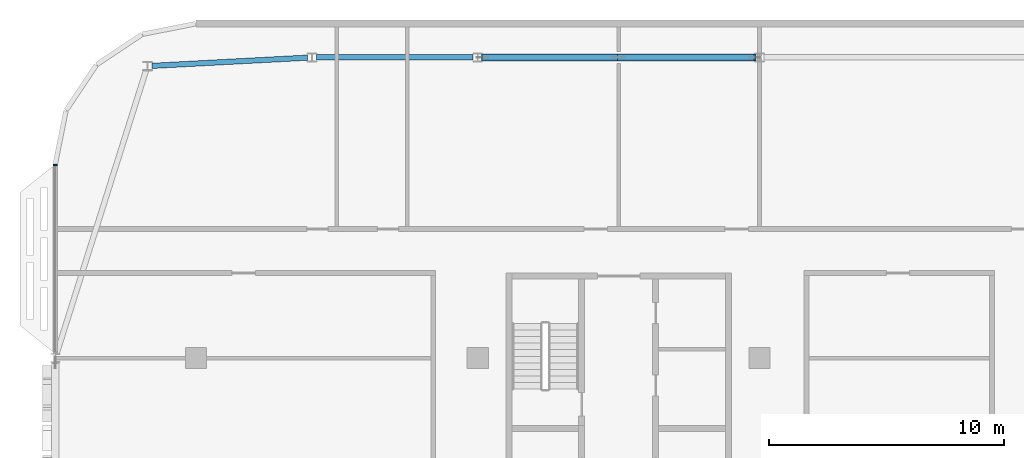
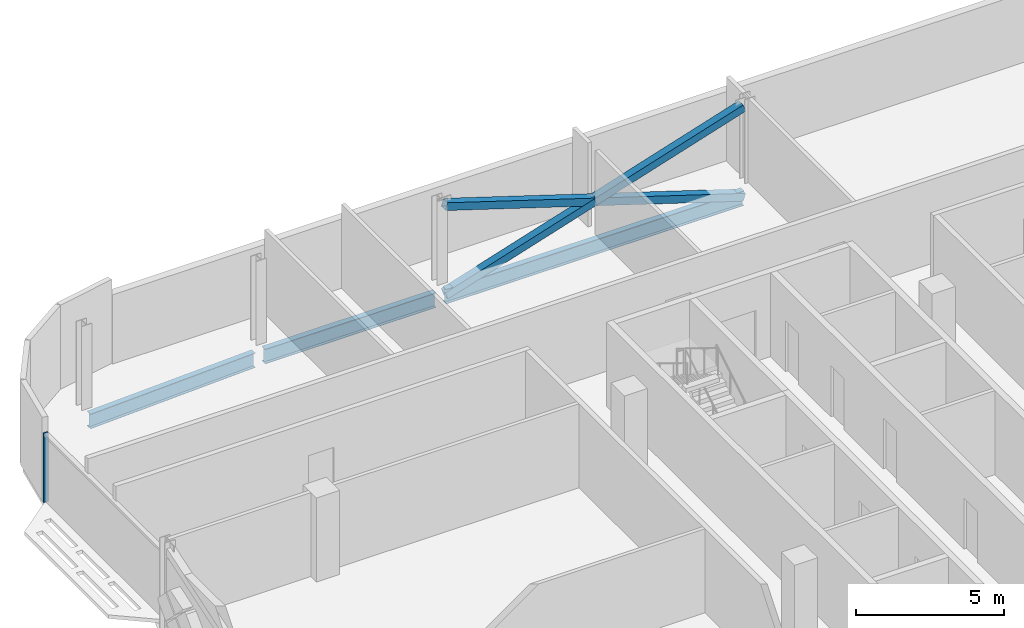
# One storey, part 8 of 28: 4 members, 3 beams, 1 element without a shape of its own.
"""IFC4 building model written with IfcOpenShell, lengths in metres."""

from ifc_helpers import new_model, si_unit, direction, frame, origin, origin_2d, place, context, subcontext, project, spatial, rectangle, hollow_rectangle, i_section, extrude, material, material_profile, profile_set, type_object, element, aggregate, save


model = new_model("IFC4")

# Units and contexts
model_context = context("Model", 3, precision=1e-05, world=origin(), true_north=direction((0.0, 1.0)))
body_context = subcontext(model_context, "Body", "Model", "MODEL_VIEW")
ifc_project = project(units=[si_unit("LENGTHUNIT", "METRE"), si_unit("AREAUNIT", "SQUARE_METRE"), si_unit("VOLUMEUNIT", "CUBIC_METRE"), si_unit("PLANEANGLEUNIT", "RADIAN"), si_unit("MASSUNIT", "GRAM", prefix="KILO")], contexts=[model_context])

# Site, building, storey
site_placement = place(None, origin())
site = spatial("IfcSite", under=ifc_project, at=site_placement, CompositionType="ELEMENT")
building_placement = place(site_placement, origin())
building = spatial("IfcBuilding", under=site, at=building_placement, Name="Mahtab Terrace Research Tower", CompositionType="ELEMENT")
storey_placement = place(building_placement, frame((0.0, 0.0, 267.10009765625)))
storey = spatial("IfcBuildingStorey", under=building, at=storey_placement, Name="L65", CompositionType="ELEMENT", Elevation=267.10009765625)

# Members
ifc_material_1 = material(Name="Steel ASTM A500 Gr C", Category="steel")
ifc_material_profile_1 = material_profile(ifc_material_1, hollow_rectangle(XDim=0.3046875, YDim=0.3046875, WallThickness=0.015869140625, at=origin_2d()), Name="HSS12X12X5/8")
ifc_profile_set_1 = profile_set([ifc_material_profile_1], Name="Steel ASTM A500 Gr C")
member_type_1 = type_object("IfcMemberType", Name="HSS 12x12x5/8 brace XB121258", PredefinedType="BRACE", material=ifc_profile_set_1)
member_1_placement = place(storey_placement, frame((-18.19677734375, 24.306884765625, -0.581298828125), z_axis=(-0.953344149173, 0.0, 0.301885629399), x_axis=(0.0, -1.0, 0.0)))
element("IfcMember", 1, at=member_1_placement, inside=storey, type_object=member_type_1, Name="Exoskeleton brace L65 07 a", PredefinedType="BRACE", context=body_context, shape_type="SweptSolid", body=[
    extrude(hollow_rectangle(XDim=0.3046875, YDim=0.3046875, WallThickness=0.015869140625, at=origin_2d()), origin(), (0.0, 0.0, 1.0), 12.174560546875),
])
for number, where, z_axis, x_axis, name in (
    (2, (-29.80322265625, 24.306884765625, -0.581298828125), (0.953344149173, 0.0, 0.301885629399), (0.0, 1.0, 0.0), "Exoskeleton brace L65 07 b1"),
    (3, (-24.0, 24.306884765625, 1.25634765625), (0.953344149173, 0.0, 0.301885629399), (0.0, 1.0, 0.0), "Exoskeleton brace L65 07 b2"),
):
    element("IfcMember", number, at=place(storey_placement, frame(where, z_axis=z_axis, x_axis=x_axis)), inside=storey, type_object=member_type_1, Name=name, PredefinedType="BRACE", context=body_context, shape_type="SweptSolid", body=[
        extrude(hollow_rectangle(XDim=0.3046875, YDim=0.3046875, WallThickness=0.015869140625, at=origin_2d()), origin(), (0.0, 0.0, 1.0), 6.087158203125),
    ])

# Curtain wall, member
ifc_material_2 = material(Name="Office ribbon curtain wall")
curtain_wall_type = type_object("IfcCurtainWallType", Name="Office ribbon curtain wall", PredefinedType="NOTDEFINED", material=ifc_material_2)
curtain_wall_placement = place(storey_placement, origin())
curtain_wall = element("IfcCurtainWall", 4, at=curtain_wall_placement, inside=storey, type_object=curtain_wall_type, Name="EN.L65.8.8", PredefinedType="NOTDEFINED")
ifc_material_3 = material(Name="Natural anodised aluminium", Category="aluminium")
ifc_material_profile_2 = material_profile(ifc_material_3, rectangle(XDim=0.179931640625, YDim=0.06005859375, at=origin_2d()), Name="MULLION 60x180")
ifc_profile_set_2 = profile_set([ifc_material_profile_2], Name="Natural anodised aluminium")
member_type_2 = type_object("IfcMemberType", Name="Office ribbon curtain wall mullion", PredefinedType="MULLION", material=ifc_profile_set_2)
member_2_placement = place(storey_placement, frame((-48.0, 19.720947265625, 0.0), z_axis=(0.0, 0.0, 1.0), x_axis=(1.0, 0.0, 0.0)))
member_2 = element("IfcMember", 5, at=member_2_placement, type_object=member_type_2, Name="CWO-8 mullion 1", PredefinedType="MULLION", context=body_context, shape_type="SweptSolid", body=[
    extrude(rectangle(XDim=0.179931640625, YDim=0.06005859375, at=origin_2d()), origin(), (0.0, 0.0, 1.0), 2.852783203125),
])
aggregate(curtain_wall, [member_2])

# Beams
ifc_material_4 = material(Name="Steel ASTM A992 Gr 50", Category="steel")
ifc_material_profile_3 = material_profile(ifc_material_4, i_section(OverallWidth=0.228271484375, OverallDepth=0.607177734375, WebThickness=0.01123046875, FlangeThickness=0.017333984375, at=origin_2d()), Name="W24X76")
ifc_profile_set_3 = profile_set([ifc_material_profile_3], Name="Steel ASTM A992 Gr 50")
beam_type = type_object("IfcBeamType", Name="W24x76 beam BS2476", PredefinedType="BEAM", material=ifc_profile_set_3)
beam_1_placement = place(storey_placement, frame((-18.19677734375, 24.306884765625, -0.6435546875), z_axis=(-1.0, 0.0, 0.0), x_axis=(0.0, -1.0, 0.0)))
element("IfcBeam", 6, at=beam_1_placement, inside=storey, type_object=beam_type, Name="Spandrel beam L65 07", PredefinedType="BEAM", context=body_context, shape_type="SweptSolid", body=[
    extrude(i_section(OverallWidth=0.228271484375, OverallDepth=0.607177734375, WebThickness=0.01123046875, FlangeThickness=0.017333984375, at=origin_2d()), origin(), (0.0, 0.0, 1.0), 11.6064453125),
])
beam_2_placement = place(storey_placement, frame((-30.19677734375, 24.306884765625, -0.6435546875), z_axis=(-1.0, 0.0, 0.0), x_axis=(0.0, -1.0, 0.0)))
element("IfcBeam", 7, at=beam_2_placement, inside=storey, type_object=beam_type, Name="Spandrel beam L65 08", PredefinedType="BEAM", context=body_context, shape_type="SweptSolid", body=[
    extrude(i_section(OverallWidth=0.228271484375, OverallDepth=0.607177734375, WebThickness=0.01123046875, FlangeThickness=0.017333984375, at=origin_2d()), origin(), (0.0, 0.0, 1.0), 6.664306640625),
])
beam_3_placement = place(storey_placement, frame((-37.2548828125, 24.296630859375, -0.6435546875), z_axis=(-0.998610495128, -0.052697998249, 0.0), x_axis=(0.052697998249, -0.998610495128, 0.0)))
element("IfcBeam", 8, at=beam_3_placement, inside=storey, type_object=beam_type, Name="Spandrel beam L65 09", PredefinedType="BEAM", context=body_context, shape_type="SweptSolid", body=[
    extrude(i_section(OverallWidth=0.228271484375, OverallDepth=0.607177734375, WebThickness=0.01123046875, FlangeThickness=0.017333984375, at=origin_2d()), origin(), (0.0, 0.0, 1.0), 6.629638671875),
])

save(model, "model.ifc")
